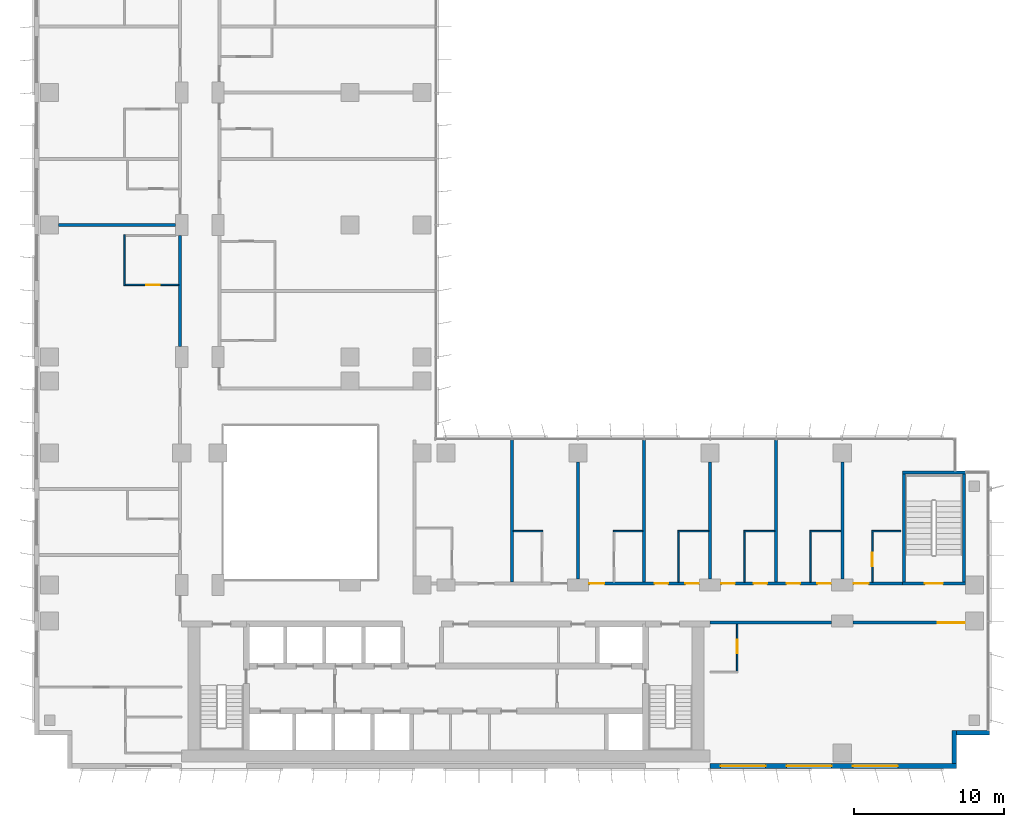
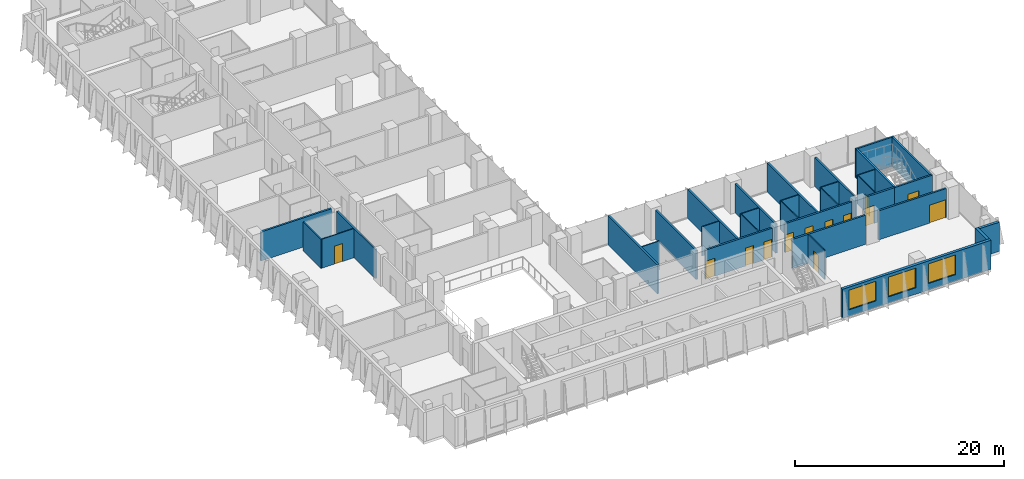
# One storey, part 14 of 22: 33 walls, 13 doors, 3 windows, 16 openings.
"""IFC4 building model written with IfcOpenShell, lengths in metres."""

from ifc_helpers import new_model, si_unit, direction, frame, frame_2d, origin, place, context, subcontext, project, spatial, rectangle, extrude, material, layer, layer_set, type_object, element, fill, save


model = new_model("IFC4")

# Units and contexts
model_context = context("Model", 3, precision=1e-05, world=origin(), true_north=direction((0.0, 1.0)))
body_context = subcontext(model_context, "Body", "Model", "MODEL_VIEW")
ifc_project = project(units=[si_unit("LENGTHUNIT", "METRE"), si_unit("AREAUNIT", "SQUARE_METRE"), si_unit("VOLUMEUNIT", "CUBIC_METRE"), si_unit("PLANEANGLEUNIT", "RADIAN"), si_unit("MASSUNIT", "GRAM", prefix="KILO")], contexts=[model_context])

# Site, building, storey
site_placement = place(None, origin())
site = spatial("IfcSite", under=ifc_project, at=site_placement, CompositionType="ELEMENT")
building_placement = place(site_placement, origin())
building = spatial("IfcBuilding", under=site, at=building_placement, Name="Kemantara Hotel Tower", CompositionType="ELEMENT")
storey_placement = place(building_placement, frame((0.0, 0.0, 111.10009765625)))
storey = spatial("IfcBuildingStorey", under=building, at=storey_placement, Name="L26", CompositionType="ELEMENT", Elevation=111.10009765625)

# Wall, openings, windows
ifc_material_1 = material(Name="Bronze anodised aluminium cladding on insulated steel stud wall", Category="steel")
ifc_layer_1 = layer(ifc_material_1, 0.300048828125)
ifc_layer_set_1 = layer_set([ifc_layer_1], Name="Bronze anodised aluminium cladding on insulated steel stud wall")
wall_type_1 = type_object("IfcWallType", Name="BRONZE METAL-CLAD EXTERNAL WALL 300", PredefinedType="STANDARD", material=ifc_layer_set_1)
wall_1_placement = place(storey_placement, frame((45.0, 0.14990234375, 0.0), z_axis=(0.0, 0.0, 1.0), x_axis=(1.0, 0.0, 0.0)))
wall_1 = element("IfcWall", 1, at=wall_1_placement, inside=storey, type_object=wall_type_1, Name="EXTERNAL WALL L26 T2-R07-3", PredefinedType="STANDARD", context=body_context, shape_type="SweptSolid", body=[
    extrude(rectangle(XDim=16.39990234375, YDim=0.300048828125, at=frame_2d((8.199951171875, 0.0))), origin(), (0.0, 0.0, 1.0), 3.39990234375),
])
opening_1_placement = place(wall_1_placement, frame((0.699951171875, 0.0, 0.75)))
opening_1 = element("IfcOpeningElement", 2, at=opening_1_placement, cuts=wall_1, Name="Opening W1", PredefinedType="OPENING", context=body_context, shape_type="SweptSolid", body=[
    extrude(rectangle(XDim=3.0, YDim=2.300048828125, at=frame_2d((1.5, 1.14990234375))), frame((0.0, 0.159912109375, 0.0), z_axis=(0.0, -1.0, 0.0), x_axis=(1.0, 0.0, 0.0)), (0.0, 0.0, 1.0), 0.320068359375),
])
opening_2_placement = place(wall_1_placement, frame((5.10009765625, 0.0, 0.75)))
opening_2 = element("IfcOpeningElement", 3, at=opening_2_placement, cuts=wall_1, Name="Opening W1", PredefinedType="OPENING", context=body_context, shape_type="SweptSolid", body=[
    extrude(rectangle(XDim=3.0, YDim=2.300048828125, at=frame_2d((1.5, 1.14990234375))), frame((0.0, 0.159912109375, 0.0), z_axis=(0.0, -1.0, 0.0), x_axis=(1.0, 0.0, 0.0)), (0.0, 0.0, 1.0), 0.320068359375),
])
opening_3_placement = place(wall_1_placement, frame((9.5, 0.0, 0.75)))
opening_3 = element("IfcOpeningElement", 4, at=opening_3_placement, cuts=wall_1, Name="Opening W1", PredefinedType="OPENING", context=body_context, shape_type="SweptSolid", body=[
    extrude(rectangle(XDim=3.0, YDim=2.300048828125, at=frame_2d((1.5, 1.14990234375))), frame((0.0, 0.159912109375, 0.0), z_axis=(0.0, -1.0, 0.0), x_axis=(1.0, 0.0, 0.0)), (0.0, 0.0, 1.0), 0.320068359375),
])
ifc_material_2 = material(Name="Low-E tinted double insulated glass in bronze anodised aluminium frame", Category="aluminium")
window_type = type_object("IfcWindowType", Name="CHICAGO WINDOW, TRIPLE PANEL 3000x2300", PartitioningType="TRIPLE_PANEL_VERTICAL", PredefinedType="WINDOW", material=ifc_material_2)
window_1_placement = place(opening_1_placement, origin())
window_1 = element("IfcWindow", 5, at=window_1_placement, inside=storey, type_object=window_type, Name="CHICAGO WINDOW L26 T2-R07-450", OverallHeight=2.300048828125, OverallWidth=3.0, PartitioningType="SINGLE_PANEL", PredefinedType="WINDOW", context=body_context, shape_type="SweptSolid", body=[
    extrude(rectangle(XDim=3.0, YDim=2.300048828125, at=frame_2d((1.5, 1.14990234375))), frame((0.0, 0.030029296875, 0.0), z_axis=(0.0, -1.0, 0.0), x_axis=(1.0, 0.0, 0.0)), (0.0, 0.0, 1.0), 0.06005859375),
])
fill(opening_1, window_1)
window_2_placement = place(opening_2_placement, origin())
window_2 = element("IfcWindow", 6, at=window_2_placement, inside=storey, type_object=window_type, Name="CHICAGO WINDOW L26 T2-R07-494", OverallHeight=2.300048828125, OverallWidth=3.0, PartitioningType="SINGLE_PANEL", PredefinedType="WINDOW", context=body_context, shape_type="SweptSolid", body=[
    extrude(rectangle(XDim=3.0, YDim=2.300048828125, at=frame_2d((1.5, 1.14990234375))), frame((0.0, 0.030029296875, 0.0), z_axis=(0.0, -1.0, 0.0), x_axis=(1.0, 0.0, 0.0)), (0.0, 0.0, 1.0), 0.06005859375),
])
fill(opening_2, window_2)
window_3_placement = place(opening_3_placement, origin())
window_3 = element("IfcWindow", 7, at=window_3_placement, inside=storey, type_object=window_type, Name="CHICAGO WINDOW L26 T2-R07-538", OverallHeight=2.300048828125, OverallWidth=3.0, PartitioningType="SINGLE_PANEL", PredefinedType="WINDOW", context=body_context, shape_type="SweptSolid", body=[
    extrude(rectangle(XDim=3.0, YDim=2.300048828125, at=frame_2d((1.5, 1.14990234375))), frame((0.0, 0.030029296875, 0.0), z_axis=(0.0, -1.0, 0.0), x_axis=(1.0, 0.0, 0.0)), (0.0, 0.0, 1.0), 0.06005859375),
])
fill(opening_3, window_3)

# Walls
wall_2_placement = place(storey_placement, frame((61.25, 0.300048828125, 0.0), z_axis=(0.0, 0.0, 1.0), x_axis=(0.0, 1.0, 0.0)))
element("IfcWall", 8, at=wall_2_placement, inside=storey, type_object=wall_type_1, Name="EXTERNAL WALL L26 T2-R08", PredefinedType="STANDARD", context=body_context, shape_type="SweptSolid", body=[
    extrude(rectangle(XDim=2.199951171875, YDim=0.300048828125, at=frame_2d((1.10009765625, 0.0))), origin(), (0.0, 0.0, 1.0), 3.39990234375),
])
wall_3_placement = place(storey_placement, frame((61.39990234375, 2.35009765625, 0.0), z_axis=(0.0, 0.0, 1.0), x_axis=(1.0, 0.0, 0.0)))
element("IfcWall", 9, at=wall_3_placement, inside=storey, type_object=wall_type_1, Name="EXTERNAL WALL L26 T2-R09", PredefinedType="STANDARD", context=body_context, shape_type="SweptSolid", body=[
    extrude(rectangle(XDim=2.2001953125, YDim=0.300048828125, at=frame_2d((1.10009765625, 0.0))), origin(), (0.0, 0.0, 1.0), 3.39990234375),
])
ifc_material_3 = material(Name="Gypsum board partition, steel studs and mineral wool, 200 mm", Category="steel")
ifc_layer_2 = layer(ifc_material_3, 0.199951171875)
ifc_layer_set_2 = layer_set([ifc_layer_2], Name="Gypsum board partition, steel studs and mineral wool, 200 mm")
wall_type_2 = type_object("IfcWallType", Name="CORRIDOR WALL 200", PredefinedType="PARTITIONING", material=ifc_layer_set_2)
wall_4_placement = place(storey_placement, frame((45.0, 9.699951171875, 0.0), z_axis=(0.0, 0.0, 1.0), x_axis=(1.0, 0.0, 0.0)))
element("IfcWall", 10, at=wall_4_placement, inside=storey, type_object=wall_type_2, Name="CORRIDOR WALL 200 001", PredefinedType="PARTITIONING", context=body_context, shape_type="SweptSolid", body=[
    extrude(rectangle(XDim=8.099853515625, YDim=0.199951171875, at=frame_2d((4.0498046875, 0.0))), origin(), (0.0, 0.0, 1.0), 3.39990234375),
])

# Wall, opening, door
wall_5_placement = place(storey_placement, frame((62.0, 9.699951171875, 0.0), z_axis=(0.0, 0.0, 1.0), x_axis=(-1.0, 0.0, 0.0)))
wall_5 = element("IfcWall", 11, at=wall_5_placement, inside=storey, type_object=wall_type_2, Name="CORRIDOR WALL 200 002", PredefinedType="PARTITIONING", context=body_context, shape_type="SweptSolid", body=[
    extrude(rectangle(XDim=7.5, YDim=0.199951171875, at=frame_2d((3.75, 0.0))), origin(), (0.0, 0.0, 1.0), 3.39990234375),
])
opening_4_placement = place(wall_5_placement, frame((0.0498046875, 0.0, 0.0)))
opening_4 = element("IfcOpeningElement", 12, at=opening_4_placement, cuts=wall_5, Name="Opening F11-001", PredefinedType="OPENING", context=body_context, shape_type="SweptSolid", body=[
    extrude(rectangle(XDim=1.800048828125, YDim=2.10009765625, at=frame_2d((0.89990234375, 1.050048828125))), frame((0.0, 0.10986328125, 0.0), z_axis=(0.0, -1.0, 0.0), x_axis=(1.0, 0.0, 0.0)), (0.0, 0.0, 1.0), 0.219970703125),
])
ifc_material_4 = material(Name="Hardwood veneer door leaf with steel frame", Category="steel")
door_type_1 = type_object("IfcDoorType", Name="GUEST ROOM DOOR 1800 X 2100 FD30S", OperationType="NOTDEFINED", PredefinedType="DOOR", material=ifc_material_4)
door_1_placement = place(opening_4_placement, origin())
door_1 = element("IfcDoor", 13, at=door_1_placement, inside=storey, type_object=door_type_1, Name="GUEST ROOM DOOR F11-001", OperationType="DOUBLE_DOOR_SINGLE_SWING", OverallHeight=2.10009765625, OverallWidth=1.800048828125, PredefinedType="DOOR", context=body_context, shape_type="SweptSolid", body=[
    extrude(rectangle(XDim=1.800048828125, YDim=2.10009765625, at=frame_2d((0.89990234375, 1.050048828125))), frame((0.0, 0.02490234375, 0.0), z_axis=(0.0, -1.0, 0.0), x_axis=(1.0, 0.0, 0.0)), (0.0, 0.0, 1.0), 0.050048828125),
])
fill(opening_4, door_1)

# Wall, openings, doors
wall_6_placement = place(storey_placement, frame((36.900146484375, 12.300048828125, 0.0), z_axis=(0.0, 0.0, 1.0), x_axis=(1.0, 0.0, 0.0)))
wall_6 = element("IfcWall", 14, at=wall_6_placement, inside=storey, type_object=wall_type_2, Name="CORRIDOR WALL 200 005", PredefinedType="PARTITIONING", context=body_context, shape_type="SweptSolid", body=[
    extrude(rectangle(XDim=7.399658203125, YDim=0.199951171875, at=frame_2d((3.69970703125, 0.0))), origin(), (0.0, 0.0, 1.0), 3.39990234375),
])
opening_5_placement = place(wall_6_placement, frame((0.0498046875, 0.0, 0.0)))
opening_5 = element("IfcOpeningElement", 15, at=opening_5_placement, cuts=wall_6, Name="Opening F11-007", PredefinedType="OPENING", context=body_context, shape_type="SweptSolid", body=[
    extrude(rectangle(XDim=1.0, YDim=2.10009765625, at=frame_2d((0.5, 1.050048828125))), frame((0.0, 0.10986328125, 0.0), z_axis=(0.0, -1.0, 0.0), x_axis=(1.0, 0.0, 0.0)), (0.0, 0.0, 1.0), 0.219970703125),
])
opening_6_placement = place(wall_6_placement, frame((4.39990234375, 0.0, 0.0)))
opening_6 = element("IfcOpeningElement", 16, at=opening_6_placement, cuts=wall_6, Name="Opening F11-009", PredefinedType="OPENING", context=body_context, shape_type="SweptSolid", body=[
    extrude(rectangle(XDim=0.89990234375, YDim=2.10009765625, at=frame_2d((0.449951171875, 1.050048828125))), frame((0.0, 0.10986328125, 0.0), z_axis=(0.0, -1.0, 0.0), x_axis=(1.0, 0.0, 0.0)), (0.0, 0.0, 1.0), 0.219970703125),
])
opening_7_placement = place(wall_6_placement, frame((6.449951171875, 0.0, 0.0)))
opening_7 = element("IfcOpeningElement", 17, at=opening_7_placement, cuts=wall_6, Name="Opening F11-010", PredefinedType="OPENING", context=body_context, shape_type="SweptSolid", body=[
    extrude(rectangle(XDim=0.89990234375, YDim=2.10009765625, at=frame_2d((0.449951171875, 1.050048828125))), frame((0.0, 0.10986328125, 0.0), z_axis=(0.0, -1.0, 0.0), x_axis=(1.0, 0.0, 0.0)), (0.0, 0.0, 1.0), 0.219970703125),
])
door_type_2 = type_object("IfcDoorType", Name="GUEST ROOM DOOR 1000 X 2100 FD30S", OperationType="NOTDEFINED", PredefinedType="DOOR", material=ifc_material_4)
door_2_placement = place(opening_5_placement, origin())
door_2 = element("IfcDoor", 18, at=door_2_placement, inside=storey, type_object=door_type_2, Name="GUEST ROOM DOOR F11-007", OperationType="SINGLE_SWING_LEFT", OverallHeight=2.10009765625, OverallWidth=1.0, PredefinedType="DOOR", context=body_context, shape_type="SweptSolid", body=[
    extrude(rectangle(XDim=1.0, YDim=2.10009765625, at=frame_2d((0.5, 1.050048828125))), frame((0.0, 0.02490234375, 0.0), z_axis=(0.0, -1.0, 0.0), x_axis=(1.0, 0.0, 0.0)), (0.0, 0.0, 1.0), 0.050048828125),
])
fill(opening_5, door_2)
ifc_material_5 = material(Name="Steel door leaf with steel frame", Category="steel")
door_type_3 = type_object("IfcDoorType", Name="SERVICE ROOM DOOR 900 X 2100 FD60", OperationType="NOTDEFINED", PredefinedType="DOOR", material=ifc_material_5)
door_3_placement = place(opening_6_placement, origin())
door_3 = element("IfcDoor", 19, at=door_3_placement, inside=storey, type_object=door_type_3, Name="SERVICE ROOM DOOR F11-009", OperationType="SINGLE_SWING_LEFT", OverallHeight=2.10009765625, OverallWidth=0.89990234375, PredefinedType="DOOR", context=body_context, shape_type="SweptSolid", body=[
    extrude(rectangle(XDim=0.89990234375, YDim=2.10009765625, at=frame_2d((0.449951171875, 1.050048828125))), frame((0.0, 0.02490234375, 0.0), z_axis=(0.0, -1.0, 0.0), x_axis=(1.0, 0.0, 0.0)), (0.0, 0.0, 1.0), 0.050048828125),
])
fill(opening_6, door_3)
door_4_placement = place(opening_7_placement, origin())
door_4 = element("IfcDoor", 20, at=door_4_placement, inside=storey, type_object=door_type_3, Name="SERVICE ROOM DOOR F11-010", OperationType="SINGLE_SWING_RIGHT", OverallHeight=2.10009765625, OverallWidth=0.89990234375, PredefinedType="DOOR", context=body_context, shape_type="SweptSolid", body=[
    extrude(rectangle(XDim=0.89990234375, YDim=2.10009765625, at=frame_2d((0.449951171875, 1.050048828125))), frame((0.0, 0.02490234375, 0.0), z_axis=(0.0, -1.0, 0.0), x_axis=(1.0, 0.0, 0.0)), (0.0, 0.0, 1.0), 0.050048828125),
])
fill(opening_7, door_4)

wall_7_placement = place(storey_placement, frame((45.7001953125, 12.300048828125, 0.0), z_axis=(0.0, 0.0, 1.0), x_axis=(1.0, 0.0, 0.0)))
wall_7 = element("IfcWall", 21, at=wall_7_placement, inside=storey, type_object=wall_type_2, Name="CORRIDOR WALL 200 006", PredefinedType="PARTITIONING", context=body_context, shape_type="SweptSolid", body=[
    extrude(rectangle(XDim=7.399658203125, YDim=0.199951171875, at=frame_2d((3.69970703125, 0.0))), origin(), (0.0, 0.0, 1.0), 3.39990234375),
])
opening_8_placement = place(wall_7_placement, frame((0.0498046875, 0.0, 0.0)))
opening_8 = element("IfcOpeningElement", 22, at=opening_8_placement, cuts=wall_7, Name="Opening F11-011", PredefinedType="OPENING", context=body_context, shape_type="SweptSolid", body=[
    extrude(rectangle(XDim=0.89990234375, YDim=2.10009765625, at=frame_2d((0.449951171875, 1.050048828125))), frame((0.0, 0.10986328125, 0.0), z_axis=(0.0, -1.0, 0.0), x_axis=(1.0, 0.0, 0.0)), (0.0, 0.0, 1.0), 0.219970703125),
])
opening_9_placement = place(wall_7_placement, frame((2.199951171875, 0.0, 0.0)))
opening_9 = element("IfcOpeningElement", 23, at=opening_9_placement, cuts=wall_7, Name="Opening F11-012", PredefinedType="OPENING", context=body_context, shape_type="SweptSolid", body=[
    extrude(rectangle(XDim=0.89990234375, YDim=2.10009765625, at=frame_2d((0.449951171875, 1.050048828125))), frame((0.0, 0.10986328125, 0.0), z_axis=(0.0, -1.0, 0.0), x_axis=(1.0, 0.0, 0.0)), (0.0, 0.0, 1.0), 0.219970703125),
])
opening_10_placement = place(wall_7_placement, frame((4.39990234375, 0.0, 0.0)))
opening_10 = element("IfcOpeningElement", 24, at=opening_10_placement, cuts=wall_7, Name="Opening F11-013", PredefinedType="OPENING", context=body_context, shape_type="SweptSolid", body=[
    extrude(rectangle(XDim=0.89990234375, YDim=2.10009765625, at=frame_2d((0.449951171875, 1.050048828125))), frame((0.0, 0.10986328125, 0.0), z_axis=(0.0, -1.0, 0.0), x_axis=(1.0, 0.0, 0.0)), (0.0, 0.0, 1.0), 0.219970703125),
])
opening_11_placement = place(wall_7_placement, frame((6.449951171875, 0.0, 0.0)))
opening_11 = element("IfcOpeningElement", 25, at=opening_11_placement, cuts=wall_7, Name="Opening F11-014", PredefinedType="OPENING", context=body_context, shape_type="SweptSolid", body=[
    extrude(rectangle(XDim=0.89990234375, YDim=2.10009765625, at=frame_2d((0.449951171875, 1.050048828125))), frame((0.0, 0.10986328125, 0.0), z_axis=(0.0, -1.0, 0.0), x_axis=(1.0, 0.0, 0.0)), (0.0, 0.0, 1.0), 0.219970703125),
])
door_5_placement = place(opening_8_placement, origin())
door_5 = element("IfcDoor", 26, at=door_5_placement, inside=storey, type_object=door_type_3, Name="SERVICE ROOM DOOR F11-011", OperationType="SINGLE_SWING_LEFT", OverallHeight=2.10009765625, OverallWidth=0.89990234375, PredefinedType="DOOR", context=body_context, shape_type="SweptSolid", body=[
    extrude(rectangle(XDim=0.89990234375, YDim=2.10009765625, at=frame_2d((0.449951171875, 1.050048828125))), frame((0.0, 0.02490234375, 0.0), z_axis=(0.0, -1.0, 0.0), x_axis=(1.0, 0.0, 0.0)), (0.0, 0.0, 1.0), 0.050048828125),
])
fill(opening_8, door_5)
door_6_placement = place(opening_9_placement, origin())
door_6 = element("IfcDoor", 27, at=door_6_placement, inside=storey, type_object=door_type_3, Name="SERVICE ROOM DOOR F11-012", OperationType="SINGLE_SWING_RIGHT", OverallHeight=2.10009765625, OverallWidth=0.89990234375, PredefinedType="DOOR", context=body_context, shape_type="SweptSolid", body=[
    extrude(rectangle(XDim=0.89990234375, YDim=2.10009765625, at=frame_2d((0.449951171875, 1.050048828125))), frame((0.0, 0.02490234375, 0.0), z_axis=(0.0, -1.0, 0.0), x_axis=(1.0, 0.0, 0.0)), (0.0, 0.0, 1.0), 0.050048828125),
])
fill(opening_9, door_6)
door_7_placement = place(opening_10_placement, origin())
door_7 = element("IfcDoor", 28, at=door_7_placement, inside=storey, type_object=door_type_3, Name="SERVICE ROOM DOOR F11-013", OperationType="SINGLE_SWING_LEFT", OverallHeight=2.10009765625, OverallWidth=0.89990234375, PredefinedType="DOOR", context=body_context, shape_type="SweptSolid", body=[
    extrude(rectangle(XDim=0.89990234375, YDim=2.10009765625, at=frame_2d((0.449951171875, 1.050048828125))), frame((0.0, 0.02490234375, 0.0), z_axis=(0.0, -1.0, 0.0), x_axis=(1.0, 0.0, 0.0)), (0.0, 0.0, 1.0), 0.050048828125),
])
fill(opening_10, door_7)
door_8_placement = place(opening_11_placement, origin())
door_8 = element("IfcDoor", 29, at=door_8_placement, inside=storey, type_object=door_type_3, Name="SERVICE ROOM DOOR F11-014", OperationType="SINGLE_SWING_RIGHT", OverallHeight=2.10009765625, OverallWidth=0.89990234375, PredefinedType="DOOR", context=body_context, shape_type="SweptSolid", body=[
    extrude(rectangle(XDim=0.89990234375, YDim=2.10009765625, at=frame_2d((0.449951171875, 1.050048828125))), frame((0.0, 0.02490234375, 0.0), z_axis=(0.0, -1.0, 0.0), x_axis=(1.0, 0.0, 0.0)), (0.0, 0.0, 1.0), 0.050048828125),
])
fill(opening_11, door_8)

# Wall, opening, door
wall_8_placement = place(storey_placement, frame((54.5, 12.300048828125, 0.0), z_axis=(0.0, 0.0, 1.0), x_axis=(1.0, 0.0, 0.0)))
wall_8 = element("IfcWall", 30, at=wall_8_placement, inside=storey, type_object=wall_type_2, Name="CORRIDOR WALL 200 007", PredefinedType="PARTITIONING", context=body_context, shape_type="SweptSolid", body=[
    extrude(rectangle(XDim=3.300048828125, YDim=0.199951171875, at=frame_2d((1.64990234375, 0.0))), origin(), (0.0, 0.0, 1.0), 3.39990234375),
])
opening_12_placement = place(wall_8_placement, frame((0.0498046875, 0.0, 0.0)))
opening_12 = element("IfcOpeningElement", 31, at=opening_12_placement, cuts=wall_8, Name="Opening F11-015", PredefinedType="OPENING", context=body_context, shape_type="SweptSolid", body=[
    extrude(rectangle(XDim=1.0, YDim=2.10009765625, at=frame_2d((0.5, 1.050048828125))), frame((0.0, 0.10986328125, 0.0), z_axis=(0.0, -1.0, 0.0), x_axis=(1.0, 0.0, 0.0)), (0.0, 0.0, 1.0), 0.219970703125),
])
door_9_placement = place(opening_12_placement, origin())
door_9 = element("IfcDoor", 32, at=door_9_placement, inside=storey, type_object=door_type_2, Name="GUEST ROOM DOOR F11-015", OperationType="SINGLE_SWING_LEFT", OverallHeight=2.10009765625, OverallWidth=1.0, PredefinedType="DOOR", context=body_context, shape_type="SweptSolid", body=[
    extrude(rectangle(XDim=1.0, YDim=2.10009765625, at=frame_2d((0.5, 1.050048828125))), frame((0.0, 0.02490234375, 0.0), z_axis=(0.0, -1.0, 0.0), x_axis=(1.0, 0.0, 0.0)), (0.0, 0.0, 1.0), 0.050048828125),
])
fill(opening_12, door_9)

# Wall
wall_9_placement = place(storey_placement, frame((9.699951171875, 28.10009765625, 0.0), z_axis=(0.0, 0.0, 1.0), x_axis=(0.0, 1.0, 0.0)))
element("IfcWall", 33, at=wall_9_placement, inside=storey, type_object=wall_type_2, Name="CORRIDOR WALL 200 019", PredefinedType="PARTITIONING", context=body_context, shape_type="SweptSolid", body=[
    extrude(rectangle(XDim=7.39990234375, YDim=0.199951171875, at=frame_2d((3.699951171875, 0.0))), origin(), (0.0, 0.0, 1.0), 3.39990234375),
])

# Wall, opening, door
ifc_material_6 = material(Name="Concrete fc 40 MPa", Category="concrete")
ifc_layer_3 = layer(ifc_material_6, 0.199951171875)
ifc_layer_set_3 = layer_set([ifc_layer_3], Name="Concrete fc 40 MPa")
wall_type_3 = type_object("IfcWallType", Name="Concrete stair wall 200 mm", PredefinedType="SHEAR", material=ifc_layer_set_3)
wall_10_placement = place(storey_placement, frame((57.800048828125, 12.300048828125, 0.0), z_axis=(0.0, 0.0, 1.0), x_axis=(1.0, 0.0, 0.0)))
wall_10 = element("IfcWall", 34, at=wall_10_placement, inside=storey, type_object=wall_type_3, Name="Stair ST3 enclosure wall with door", PredefinedType="SHEAR", context=body_context, shape_type="SweptSolid", body=[
    extrude(rectangle(XDim=4.199951171875, YDim=0.199951171875, at=frame_2d((2.10009765625, 0.0))), origin(), (0.0, 0.0, 1.0), 3.39990234375),
])
opening_13_placement = place(wall_10_placement, frame((1.5, 0.0, 0.0)))
opening_13 = element("IfcOpeningElement", 35, at=opening_13_placement, cuts=wall_10, Name="Opening ST3-C", PredefinedType="OPENING", context=body_context, shape_type="SweptSolid", body=[
    extrude(rectangle(XDim=1.199951171875, YDim=2.10009765625, at=frame_2d((0.60009765625, 1.050048828125))), frame((0.0, 0.10986328125, 0.0), z_axis=(0.0, -1.0, 0.0), x_axis=(1.0, 0.0, 0.0)), (0.0, 0.0, 1.0), 0.219970703125),
])
ifc_material_7 = material(Name="Steel fire door", Category="steel")
door_type_4 = type_object("IfcDoorType", Name="Fire door FD90 1200 x 2100", OperationType="NOTDEFINED", PredefinedType="DOOR", material=ifc_material_7)
door_10_placement = place(opening_13_placement, origin())
door_10 = element("IfcDoor", 36, at=door_10_placement, inside=storey, type_object=door_type_4, Name="Stair ST3 door", OperationType="SINGLE_SWING_RIGHT", OverallHeight=2.10009765625, OverallWidth=1.199951171875, PredefinedType="DOOR", context=body_context, shape_type="SweptSolid", body=[
    extrude(rectangle(XDim=1.199951171875, YDim=2.10009765625, at=frame_2d((0.60009765625, 1.050048828125))), frame((0.0, 0.02490234375, 0.0), z_axis=(0.0, -1.0, 0.0), x_axis=(1.0, 0.0, 0.0)), (0.0, 0.0, 1.0), 0.050048828125),
])
fill(opening_13, door_10)

# Walls
wall_11_placement = place(storey_placement, frame((57.800048828125, 19.699951171875, 0.0), z_axis=(0.0, 0.0, 1.0), x_axis=(1.0, 0.0, 0.0)))
element("IfcWall", 37, at=wall_11_placement, inside=storey, type_object=wall_type_3, Name="Stair ST3 enclosure wall N", PredefinedType="SHEAR", context=body_context, shape_type="SweptSolid", body=[
    extrude(rectangle(XDim=4.199951171875, YDim=0.199951171875, at=frame_2d((2.10009765625, 0.0))), origin(), (0.0, 0.0, 1.0), 3.39990234375),
])
for number, where, z_axis, x_axis, name in (
    (38, (57.89990234375, 12.39990234375, 0.0), (0.0, 0.0, 1.0), (0.0, 1.0, 0.0), "Stair ST3 enclosure wall W"),
    (39, (61.89990234375, 12.39990234375, 0.0), (0.0, 0.0, 1.0), (0.0, 1.0, 0.0), "Stair ST3 enclosure wall E"),
):
    element("IfcWall", number, at=place(storey_placement, frame(where, z_axis=z_axis, x_axis=x_axis)), inside=storey, type_object=wall_type_3, Name=name, PredefinedType="SHEAR", context=body_context, shape_type="SweptSolid", body=[
        extrude(rectangle(XDim=7.2001953125, YDim=0.199951171875, at=frame_2d((3.60009765625, 0.0))), origin(), (0.0, 0.0, 1.0), 3.39990234375),
    ])
ifc_layer_4 = layer(ifc_material_3, 0.199951171875)
ifc_layer_set_4 = layer_set([ifc_layer_4], Name="Gypsum board partition, steel studs and mineral wool, 200 mm")
wall_type_4 = type_object("IfcWallType", Name="GUEST ROOM PARTY WALL 200", PredefinedType="PARTITIONING", material=ifc_layer_set_4)
wall_12_placement = place(storey_placement, frame((31.800048828125, 12.39990234375, 0.0), z_axis=(0.0, 0.0, 1.0), x_axis=(0.0, 1.0, 0.0)))
element("IfcWall", 40, at=wall_12_placement, inside=storey, type_object=wall_type_4, Name="GUEST ROOM PARTY WALL 200 010", PredefinedType="PARTITIONING", context=body_context, shape_type="SweptSolid", body=[
    extrude(rectangle(XDim=9.47021484375, YDim=0.199951171875, at=frame_2d((4.735107421875, 0.0))), origin(), (0.0, 0.0, 1.0), 3.39990234375),
])
wall_13_placement = place(storey_placement, frame((36.199951171875, 12.60009765625, 0.0), z_axis=(0.0, 0.0, 1.0), x_axis=(0.0, 1.0, 0.0)))
element("IfcWall", 41, at=wall_13_placement, inside=storey, type_object=wall_type_4, Name="GUEST ROOM PARTY WALL 200 011", PredefinedType="PARTITIONING", context=body_context, shape_type="SweptSolid", body=[
    extrude(rectangle(XDim=7.7998046875, YDim=0.199951171875, at=frame_2d((3.89990234375, 0.0))), origin(), (0.0, 0.0, 1.0), 3.39990234375),
])
wall_14_placement = place(storey_placement, frame((40.60009765625, 12.39990234375, 0.0), z_axis=(0.0, 0.0, 1.0), x_axis=(0.0, 1.0, 0.0)))
element("IfcWall", 42, at=wall_14_placement, inside=storey, type_object=wall_type_4, Name="GUEST ROOM PARTY WALL 200 012", PredefinedType="PARTITIONING", context=body_context, shape_type="SweptSolid", body=[
    extrude(rectangle(XDim=9.47021484375, YDim=0.199951171875, at=frame_2d((4.735107421875, 0.0))), origin(), (0.0, 0.0, 1.0), 3.39990234375),
])
wall_15_placement = place(storey_placement, frame((45.0, 12.60009765625, 0.0), z_axis=(0.0, 0.0, 1.0), x_axis=(0.0, 1.0, 0.0)))
element("IfcWall", 43, at=wall_15_placement, inside=storey, type_object=wall_type_4, Name="GUEST ROOM PARTY WALL 200 013", PredefinedType="PARTITIONING", context=body_context, shape_type="SweptSolid", body=[
    extrude(rectangle(XDim=7.7998046875, YDim=0.199951171875, at=frame_2d((3.89990234375, 0.0))), origin(), (0.0, 0.0, 1.0), 3.39990234375),
])
wall_16_placement = place(storey_placement, frame((49.39990234375, 12.39990234375, 0.0), z_axis=(0.0, 0.0, 1.0), x_axis=(0.0, 1.0, 0.0)))
element("IfcWall", 44, at=wall_16_placement, inside=storey, type_object=wall_type_4, Name="GUEST ROOM PARTY WALL 200 014", PredefinedType="PARTITIONING", context=body_context, shape_type="SweptSolid", body=[
    extrude(rectangle(XDim=9.47021484375, YDim=0.199951171875, at=frame_2d((4.735107421875, 0.0))), origin(), (0.0, 0.0, 1.0), 3.39990234375),
])
for number, where, z_axis, x_axis, name in (
    (45, (53.800048828125, 12.60009765625, 0.0), (0.0, 0.0, 1.0), (0.0, 1.0, 0.0), "GUEST ROOM PARTY WALL 200 015"),
    (46, (1.60009765625, 36.199951171875, 0.0), (0.0, 0.0, 1.0), (1.0, 0.0, 0.0), "GUEST ROOM PARTY WALL 200 027"),
):
    element("IfcWall", number, at=place(storey_placement, frame(where, z_axis=z_axis, x_axis=x_axis)), inside=storey, type_object=wall_type_4, Name=name, PredefinedType="PARTITIONING", context=body_context, shape_type="SweptSolid", body=[
        extrude(rectangle(XDim=7.7998046875, YDim=0.199951171875, at=frame_2d((3.89990234375, 0.0))), origin(), (0.0, 0.0, 1.0), 3.39990234375),
    ])

# Wall, opening, door
ifc_material_8 = material(Name="Gypsum board partition on steel studs, 100 mm", Category="steel")
ifc_layer_5 = layer(ifc_material_8, 0.10009765625)
ifc_layer_set_5 = layer_set([ifc_layer_5], Name="Gypsum board partition on steel studs, 100 mm")
wall_type_5 = type_object("IfcWallType", Name="ROOM PARTITION 100", PredefinedType="PARTITIONING", material=ifc_layer_set_5)
wall_17_placement = place(storey_placement, frame((46.800048828125, 6.449951171875, 0.0), z_axis=(0.0, 0.0, 1.0), x_axis=(0.0, 1.0, 0.0)))
wall_17 = element("IfcWall", 47, at=wall_17_placement, inside=storey, type_object=wall_type_5, Name="ROOM PARTITION 100 051", PredefinedType="PARTITIONING", context=body_context, shape_type="SweptSolid", body=[
    extrude(rectangle(XDim=3.150146484375, YDim=0.10009765625, at=frame_2d((1.5751953125, 0.0))), origin(), (0.0, 0.0, 1.0), 3.39990234375),
])
opening_14_placement = place(wall_17_placement, frame((1.199951171875, 0.0, 0.0)))
opening_14 = element("IfcOpeningElement", 48, at=opening_14_placement, cuts=wall_17, Name="Opening F11-002", PredefinedType="OPENING", context=body_context, shape_type="SweptSolid", body=[
    extrude(rectangle(XDim=0.89990234375, YDim=2.10009765625, at=frame_2d((0.449951171875, 1.050048828125))), frame((0.0, 0.06005859375, 0.0), z_axis=(0.0, -1.0, 0.0), x_axis=(1.0, 0.0, 0.0)), (0.0, 0.0, 1.0), 0.1201171875),
])
door_type_5 = type_object("IfcDoorType", Name="PANTRY DOOR 900 X 2100", OperationType="NOTDEFINED", PredefinedType="DOOR", material=ifc_material_4)
door_11_placement = place(opening_14_placement, origin())
door_11 = element("IfcDoor", 49, at=door_11_placement, inside=storey, type_object=door_type_5, Name="PANTRY DOOR F11-002", OperationType="SINGLE_SWING_RIGHT", OverallHeight=2.10009765625, OverallWidth=0.89990234375, PredefinedType="DOOR", context=body_context, shape_type="SweptSolid", body=[
    extrude(rectangle(XDim=0.89990234375, YDim=2.10009765625, at=frame_2d((0.449951171875, 1.050048828125))), frame((0.0, 0.02490234375, 0.0), z_axis=(0.0, -1.0, 0.0), x_axis=(1.0, 0.0, 0.0)), (0.0, 0.0, 1.0), 0.050048828125),
])
fill(opening_14, door_11)

# Walls
wall_18_placement = place(storey_placement, frame((31.89990234375, 15.800048828125, 0.0), z_axis=(0.0, 0.0, 1.0), x_axis=(1.0, 0.0, 0.0)))
element("IfcWall", 50, at=wall_18_placement, inside=storey, type_object=wall_type_5, Name="ROOM PARTITION 100 054", PredefinedType="PARTITIONING", context=body_context, shape_type="SweptSolid", body=[
    extrude(rectangle(XDim=1.9501953125, YDim=0.10009765625, at=frame_2d((0.97509765625, 0.0))), origin(), (0.0, 0.0, 1.0), 3.39990234375),
])
wall_19_placement = place(storey_placement, frame((38.550048828125, 15.800048828125, 0.0), z_axis=(0.0, 0.0, 1.0), x_axis=(1.0, 0.0, 0.0)))
element("IfcWall", 51, at=wall_19_placement, inside=storey, type_object=wall_type_5, Name="ROOM PARTITION 100 055", PredefinedType="PARTITIONING", context=body_context, shape_type="SweptSolid", body=[
    extrude(rectangle(XDim=1.949951171875, YDim=0.10009765625, at=frame_2d((0.97509765625, 0.0))), origin(), (0.0, 0.0, 1.0), 3.39990234375),
])
wall_20_placement = place(storey_placement, frame((42.85009765625, 15.800048828125, 0.0), z_axis=(0.0, 0.0, 1.0), x_axis=(1.0, 0.0, 0.0)))
element("IfcWall", 52, at=wall_20_placement, inside=storey, type_object=wall_type_5, Name="ROOM PARTITION 100 056", PredefinedType="PARTITIONING", context=body_context, shape_type="SweptSolid", body=[
    extrude(rectangle(XDim=2.0498046875, YDim=0.10009765625, at=frame_2d((1.02490234375, 0.0))), origin(), (0.0, 0.0, 1.0), 3.39990234375),
])
for number, where, z_axis, x_axis, name in (
    (53, (47.25, 15.800048828125, 0.0), (0.0, 0.0, 1.0), (1.0, 0.0, 0.0), "ROOM PARTITION 100 057"),
    (54, (51.64990234375, 15.800048828125, 0.0), (0.0, 0.0, 1.0), (1.0, 0.0, 0.0), "ROOM PARTITION 100 058"),
):
    element("IfcWall", number, at=place(storey_placement, frame(where, z_axis=z_axis, x_axis=x_axis)), inside=storey, type_object=wall_type_5, Name=name, PredefinedType="PARTITIONING", context=body_context, shape_type="SweptSolid", body=[
        extrude(rectangle(XDim=2.050048828125, YDim=0.10009765625, at=frame_2d((1.02490234375, 0.0))), origin(), (0.0, 0.0, 1.0), 3.39990234375),
    ])
wall_21_placement = place(storey_placement, frame((55.75, 15.800048828125, 0.0), z_axis=(0.0, 0.0, 1.0), x_axis=(1.0, 0.0, 0.0)))
element("IfcWall", 55, at=wall_21_placement, inside=storey, type_object=wall_type_5, Name="ROOM PARTITION 100 059", PredefinedType="PARTITIONING", context=body_context, shape_type="SweptSolid", body=[
    extrude(rectangle(XDim=1.949951171875, YDim=0.10009765625, at=frame_2d((0.97509765625, 0.0))), origin(), (0.0, 0.0, 1.0), 3.39990234375),
])
for number, where, z_axis, x_axis, name in (
    (56, (42.89990234375, 12.39990234375, 0.0), (0.0, 0.0, 1.0), (0.0, 1.0, 0.0), "ROOM PARTITION 100 062"),
    (57, (47.300048828125, 12.39990234375, 0.0), (0.0, 0.0, 1.0), (0.0, 1.0, 0.0), "ROOM PARTITION 100 063"),
    (58, (51.699951171875, 12.39990234375, 0.0), (0.0, 0.0, 1.0), (0.0, 1.0, 0.0), "ROOM PARTITION 100 064"),
):
    element("IfcWall", number, at=place(storey_placement, frame(where, z_axis=z_axis, x_axis=x_axis)), inside=storey, type_object=wall_type_5, Name=name, PredefinedType="PARTITIONING", context=body_context, shape_type="SweptSolid", body=[
        extrude(rectangle(XDim=3.35009765625, YDim=0.10009765625, at=frame_2d((1.675048828125, 0.0))), origin(), (0.0, 0.0, 1.0), 3.39990234375),
    ])

# Wall, opening, door
wall_22_placement = place(storey_placement, frame((55.800048828125, 15.75, 0.0), z_axis=(0.0, 0.0, 1.0), x_axis=(0.0, -1.0, 0.0)))
wall_22 = element("IfcWall", 59, at=wall_22_placement, inside=storey, type_object=wall_type_5, Name="ROOM PARTITION 100 065", PredefinedType="PARTITIONING", context=body_context, shape_type="SweptSolid", body=[
    extrude(rectangle(XDim=3.35009765625, YDim=0.10009765625, at=frame_2d((1.675048828125, 0.0))), origin(), (0.0, 0.0, 1.0), 3.39990234375),
])
opening_15_placement = place(wall_22_placement, frame((1.39990234375, 0.0, 0.0)))
opening_15 = element("IfcOpeningElement", 60, at=opening_15_placement, cuts=wall_22, Name="Opening F11-016", PredefinedType="OPENING", context=body_context, shape_type="SweptSolid", body=[
    extrude(rectangle(XDim=0.89990234375, YDim=2.10009765625, at=frame_2d((0.449951171875, 1.050048828125))), frame((0.0, 0.06005859375, 0.0), z_axis=(0.0, -1.0, 0.0), x_axis=(1.0, 0.0, 0.0)), (0.0, 0.0, 1.0), 0.1201171875),
])
door_type_6 = type_object("IfcDoorType", Name="BATHROOM DOOR 900 X 2100", OperationType="NOTDEFINED", PredefinedType="DOOR", material=ifc_material_4)
door_12_placement = place(opening_15_placement, origin())
door_12 = element("IfcDoor", 61, at=door_12_placement, inside=storey, type_object=door_type_6, Name="BATHROOM DOOR F11-016", OperationType="SINGLE_SWING_RIGHT", OverallHeight=2.10009765625, OverallWidth=0.89990234375, PredefinedType="DOOR", context=body_context, shape_type="SweptSolid", body=[
    extrude(rectangle(XDim=0.89990234375, YDim=2.10009765625, at=frame_2d((0.449951171875, 1.050048828125))), frame((0.0, 0.02490234375, 0.0), z_axis=(0.0, -1.0, 0.0), x_axis=(1.0, 0.0, 0.0)), (0.0, 0.0, 1.0), 0.050048828125),
])
fill(opening_15, door_12)

# Wall
wall_23_placement = place(storey_placement, frame((6.0, 32.14990234375, 0.0), z_axis=(0.0, 0.0, 1.0), x_axis=(0.0, 1.0, 0.0)))
element("IfcWall", 62, at=wall_23_placement, inside=storey, type_object=wall_type_5, Name="ROOM PARTITION 100 076", PredefinedType="PARTITIONING", context=body_context, shape_type="SweptSolid", body=[
    extrude(rectangle(XDim=3.400146484375, YDim=0.10009765625, at=frame_2d((1.7001953125, 0.0))), origin(), (0.0, 0.0, 1.0), 3.39990234375),
])

# Wall, opening, door
wall_24_placement = place(storey_placement, frame((6.050048828125, 32.199951171875, 0.0), z_axis=(0.0, 0.0, 1.0), x_axis=(1.0, 0.0, 0.0)))
wall_24 = element("IfcWall", 63, at=wall_24_placement, inside=storey, type_object=wall_type_5, Name="ROOM PARTITION 100 079", PredefinedType="PARTITIONING", context=body_context, shape_type="SweptSolid", body=[
    extrude(rectangle(XDim=3.550048828125, YDim=0.10009765625, at=frame_2d((1.77490234375, 0.0))), origin(), (0.0, 0.0, 1.0), 3.39990234375),
])
opening_16_placement = place(wall_24_placement, frame((1.39990234375, 0.0, 0.0)))
opening_16 = element("IfcOpeningElement", 64, at=opening_16_placement, cuts=wall_24, Name="Opening F11-024", PredefinedType="OPENING", context=body_context, shape_type="SweptSolid", body=[
    extrude(rectangle(XDim=0.89990234375, YDim=2.10009765625, at=frame_2d((0.449951171875, 1.050048828125))), frame((0.0, 0.06005859375, 0.0), z_axis=(0.0, -1.0, 0.0), x_axis=(1.0, 0.0, 0.0)), (0.0, 0.0, 1.0), 0.1201171875),
])
door_13_placement = place(opening_16_placement, origin())
door_13 = element("IfcDoor", 65, at=door_13_placement, inside=storey, type_object=door_type_6, Name="BATHROOM DOOR F11-024", OperationType="SINGLE_SWING_RIGHT", OverallHeight=2.10009765625, OverallWidth=0.89990234375, PredefinedType="DOOR", context=body_context, shape_type="SweptSolid", body=[
    extrude(rectangle(XDim=0.89990234375, YDim=2.10009765625, at=frame_2d((0.449951171875, 1.050048828125))), frame((0.0, 0.02490234375, 0.0), z_axis=(0.0, -1.0, 0.0), x_axis=(1.0, 0.0, 0.0)), (0.0, 0.0, 1.0), 0.050048828125),
])
fill(opening_16, door_13)

save(model, "model.ifc")
